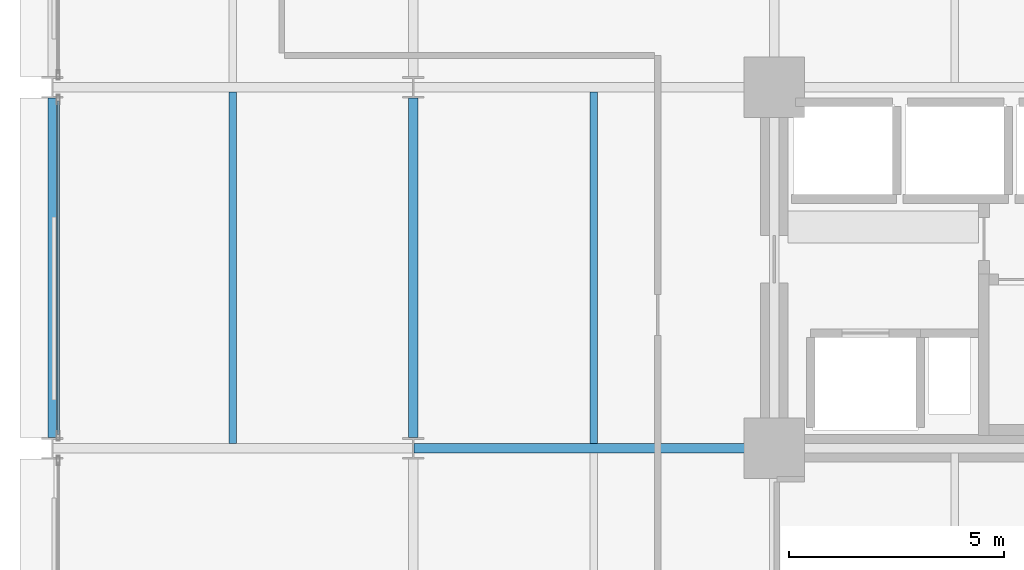
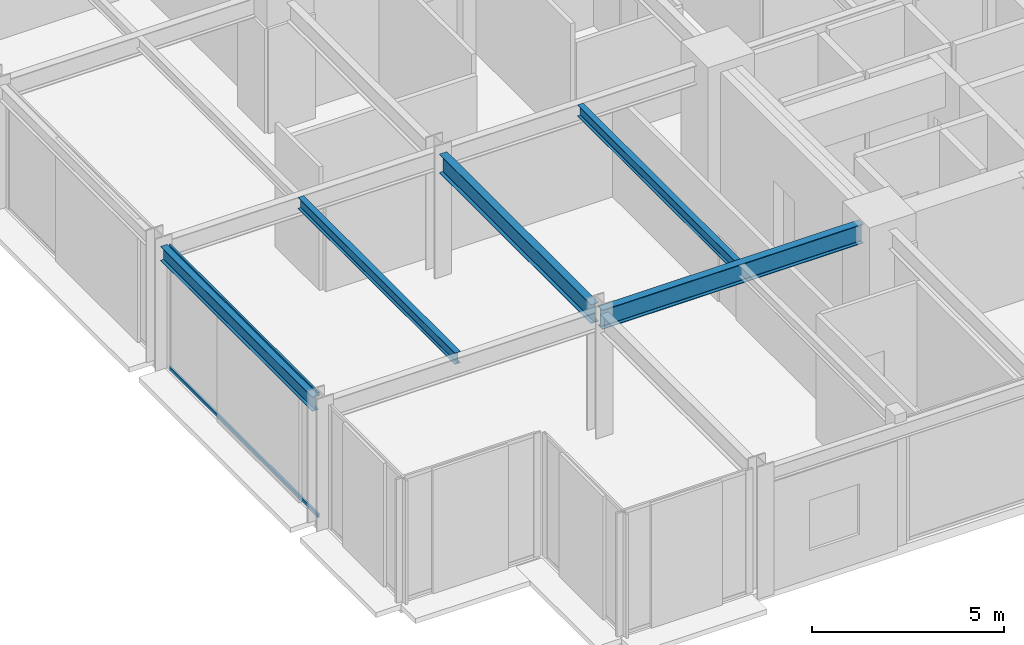
# One storey, part 3 of 25: 5 beams, 2 members, 1 element without a shape of its own.
"""IFC4 building model written with IfcOpenShell, lengths in metres."""

from ifc_helpers import new_model, si_unit, direction, frame, origin, origin_2d, place, context, subcontext, project, spatial, hollow_rectangle, i_section, extrude, material, layer, layer_set, material_profile, profile_set, type_object, element, aggregate, save


model = new_model("IFC4")

# Units and contexts
model_context = context("Model", 3, precision=1e-05, world=origin(), true_north=direction((0.0, 1.0)))
body_context = subcontext(model_context, "Body", "Model", "MODEL_VIEW")
ifc_project = project(units=[si_unit("LENGTHUNIT", "METRE"), si_unit("AREAUNIT", "SQUARE_METRE"), si_unit("VOLUMEUNIT", "CUBIC_METRE"), si_unit("PLANEANGLEUNIT", "RADIAN"), si_unit("MASSUNIT", "GRAM", prefix="KILO")], contexts=[model_context])

# Site, building, storey
site_placement = place(None, origin())
site = spatial("IfcSite", under=ifc_project, at=site_placement, CompositionType="ELEMENT")
building_placement = place(site_placement, origin())
building = spatial("IfcBuilding", under=site, at=building_placement, Name="Nerrivon Quay Data Exchange", CompositionType="ELEMENT")
storey_placement = place(building_placement, frame((0.0, 0.0, 29.0)))
storey = spatial("IfcBuildingStorey", under=building, at=storey_placement, Name="L06", CompositionType="ELEMENT", Elevation=29.0)

# Beams
ifc_material_1 = material(Name="Steel Grade 350", Category="steel")
ifc_material_profile_1 = material_profile(ifc_material_1, i_section(OverallWidth=0.22900390625, OverallDepth=0.612060546875, WebThickness=0.011962890625, FlangeThickness=0.01953125, FilletRadius=0.013916015625, at=origin_2d()), Name="610UB125")
ifc_profile_set_1 = profile_set([ifc_material_profile_1], Name="Steel Grade 350")
beam_type_1 = type_object("IfcBeamType", Name="BM-G1-610UB125", PredefinedType="BEAM", material=ifc_profile_set_1)
beam_1_placement = place(storey_placement, frame((8.4140625, 8.39990234375, 3.618896484375), z_axis=(1.0, 0.0, 0.0), x_axis=(0.0, 1.0, 0.0)))
element("IfcBeam", 1, at=beam_1_placement, inside=storey, type_object=beam_type_1, Name="L06 EW Girder Y=8.4 (8.4..16.8)", PredefinedType="BEAM", context=body_context, shape_type="SweptSolid", body=[
    extrude(i_section(OverallWidth=0.22900390625, OverallDepth=0.612060546875, WebThickness=0.011962890625, FlangeThickness=0.01953125, FilletRadius=0.013916015625, at=origin_2d()), origin(), (0.0, 0.0, 1.0), 7.845947265625),
])
ifc_material_profile_2 = material_profile(ifc_material_1, i_section(OverallWidth=0.22802734375, OverallDepth=0.60205078125, WebThickness=0.010498046875, FlangeThickness=0.014892578125, FilletRadius=0.013916015625, at=origin_2d()), Name="610UB101")
ifc_profile_set_2 = profile_set([ifc_material_profile_2], Name="Steel Grade 350")
beam_type_2 = type_object("IfcBeamType", Name="BM-G2-610UB101", PredefinedType="BEAM", material=ifc_profile_set_2)
beam_2_placement = place(storey_placement, frame((8.39990234375, 8.64990234375, 3.6240234375), z_axis=(0.0, 1.0, 0.0), x_axis=(-1.0, 0.0, 0.0)))
element("IfcBeam", 2, at=beam_2_placement, inside=storey, type_object=beam_type_2, Name="L06 NS Girder X=8.4 (8.4..16.8)", PredefinedType="BEAM", context=body_context, shape_type="SweptSolid", body=[
    extrude(i_section(OverallWidth=0.22802734375, OverallDepth=0.60205078125, WebThickness=0.010498046875, FlangeThickness=0.014892578125, FilletRadius=0.013916015625, at=origin_2d()), origin(), (0.0, 0.0, 1.0), 7.900146484375),
])
ifc_material_profile_3 = material_profile(ifc_material_1, i_section(OverallWidth=0.172119140625, OverallDepth=0.35888671875, WebThickness=0.008056640625, FlangeThickness=0.012939453125, FilletRadius=0.011474609375, at=origin_2d()), Name="360UB56.7")
ifc_profile_set_3 = profile_set([ifc_material_profile_3], Name="Steel Grade 350")
beam_type_3 = type_object("IfcBeamType", Name="BM-J3-360UB57", PredefinedType="JOIST", material=ifc_profile_set_3)
for number, where, z_axis, x_axis, name in (
    (3, (4.199951171875, 8.514404296875, 3.74560546875), (0.0, 1.0, 0.0), (-1.0, 0.0, 0.0), "L06 Secondary Joist X=4.2 (8.4..16.8)"),
    (4, (12.60009765625, 8.514404296875, 3.74560546875), (0.0, 1.0, 0.0), (-1.0, 0.0, 0.0), "L06 Secondary Joist X=12.6 (8.4..16.8)"),
):
    element("IfcBeam", number, at=place(storey_placement, frame(where, z_axis=z_axis, x_axis=x_axis)), inside=storey, type_object=beam_type_3, Name=name, PredefinedType="JOIST", context=body_context, shape_type="SweptSolid", body=[
        extrude(i_section(OverallWidth=0.172119140625, OverallDepth=0.35888671875, WebThickness=0.008056640625, FlangeThickness=0.012939453125, FilletRadius=0.011474609375, at=origin_2d()), origin(), (0.0, 0.0, 1.0), 8.171142578125),
    ])
ifc_material_profile_4 = material_profile(ifc_material_1, i_section(OverallWidth=0.18994140625, OverallDepth=0.4541015625, WebThickness=0.008544921875, FlangeThickness=0.0126953125, FilletRadius=0.011474609375, at=origin_2d()), Name="460UB67.1")
ifc_profile_set_4 = profile_set([ifc_material_profile_4], Name="Steel Grade 350")
beam_type_4 = type_object("IfcBeamType", Name="BM-SP1-460UB67", PredefinedType="SPANDREL", material=ifc_profile_set_4)
beam_3_placement = place(storey_placement, frame((0.0, 8.64990234375, 3.697998046875), z_axis=(0.0, 1.0, 0.0), x_axis=(-1.0, 0.0, 0.0)))
element("IfcBeam", 5, at=beam_3_placement, inside=storey, type_object=beam_type_4, Name="L06 NS Girder X=0.0 (8.4..16.8)", PredefinedType="SPANDREL", context=body_context, shape_type="SweptSolid", body=[
    extrude(i_section(OverallWidth=0.18994140625, OverallDepth=0.4541015625, WebThickness=0.008544921875, FlangeThickness=0.0126953125, FilletRadius=0.011474609375, at=origin_2d()), origin(), (0.0, 0.0, 1.0), 7.900146484375),
])

# Curtain wall, members
ifc_material_2 = material(Name="Anodised aluminium 6063-T6", Category="aluminium")
ifc_layer = layer(ifc_material_2, 0.219970703125)
ifc_layer_set = layer_set([ifc_layer], Name="Anodised aluminium 6063-T6")
curtain_wall_type = type_object("IfcCurtainWallType", Name="CW-SYS-01", PredefinedType="NOTDEFINED", material=ifc_layer_set)
curtain_wall_placement = place(storey_placement, origin())
curtain_wall = element("IfcCurtainWall", 6, at=curtain_wall_placement, inside=storey, type_object=curtain_wall_type, Name="L06 Unitised Curtain Wall 14", PredefinedType="NOTDEFINED")
ifc_material_profile_5 = material_profile(ifc_material_2, hollow_rectangle(XDim=0.06005859375, YDim=0.1201171875, WallThickness=0.003173828125, at=origin_2d()), Name="ALU-TRAN-120x60")
ifc_profile_set_5 = profile_set([ifc_material_profile_5], Name="Anodised aluminium 6063-T6")
member_type = type_object("IfcMemberType", Name="CWT-120x60", PredefinedType="USERDEFINED", material=ifc_profile_set_5)
member_1_placement = place(storey_placement, frame((0.139892578125, 8.72509765625, 0.032470703125), z_axis=(0.0, 1.0, 0.0), x_axis=(-1.0, 0.0, 0.0)))
member_1 = element("IfcMember", 7, at=member_1_placement, type_object=member_type, Name="CW01 transom 1.1", ObjectType="TRANSOM", PredefinedType="USERDEFINED", context=body_context, shape_type="SweptSolid", body=[
    extrude(hollow_rectangle(XDim=0.06005859375, YDim=0.1201171875, WallThickness=0.003173828125, at=origin_2d()), origin(), (0.0, 0.0, 1.0), 7.75),
])
member_2_placement = place(storey_placement, frame((0.139892578125, 8.72509765625, 3.892578125), z_axis=(0.0, 1.0, 0.0), x_axis=(-1.0, 0.0, 0.0)))
member_2 = element("IfcMember", 8, at=member_2_placement, type_object=member_type, Name="CW01 transom 1.2", ObjectType="TRANSOM", PredefinedType="USERDEFINED", context=body_context, shape_type="SweptSolid", body=[
    extrude(hollow_rectangle(XDim=0.06005859375, YDim=0.1201171875, WallThickness=0.003173828125, at=origin_2d()), origin(), (0.0, 0.0, 1.0), 7.75),
])
aggregate(curtain_wall, [member_1, member_2])

save(model, "model.ifc")
